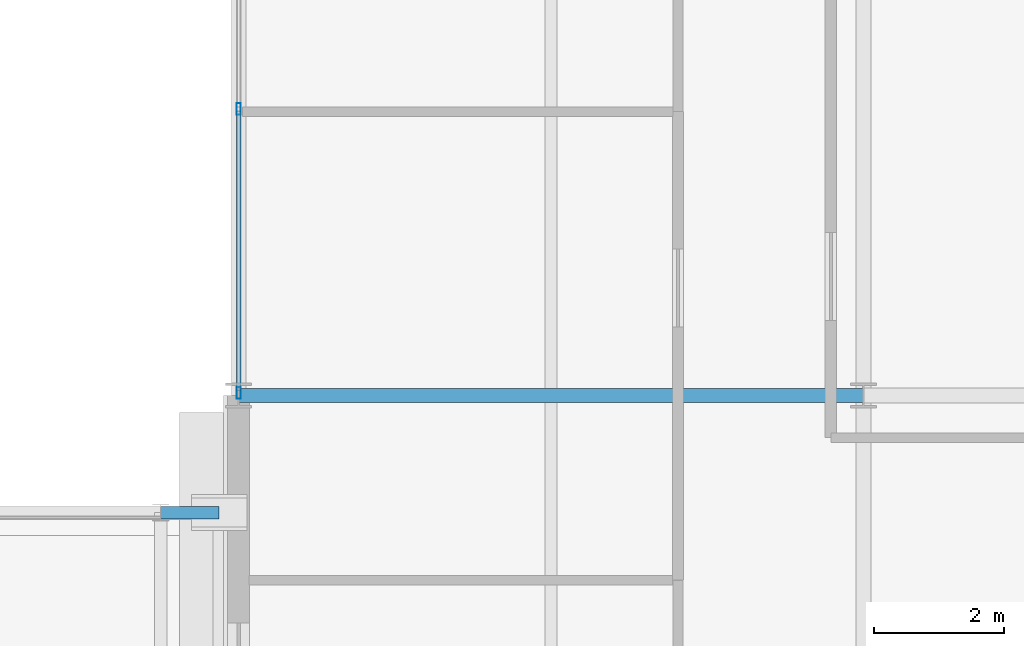
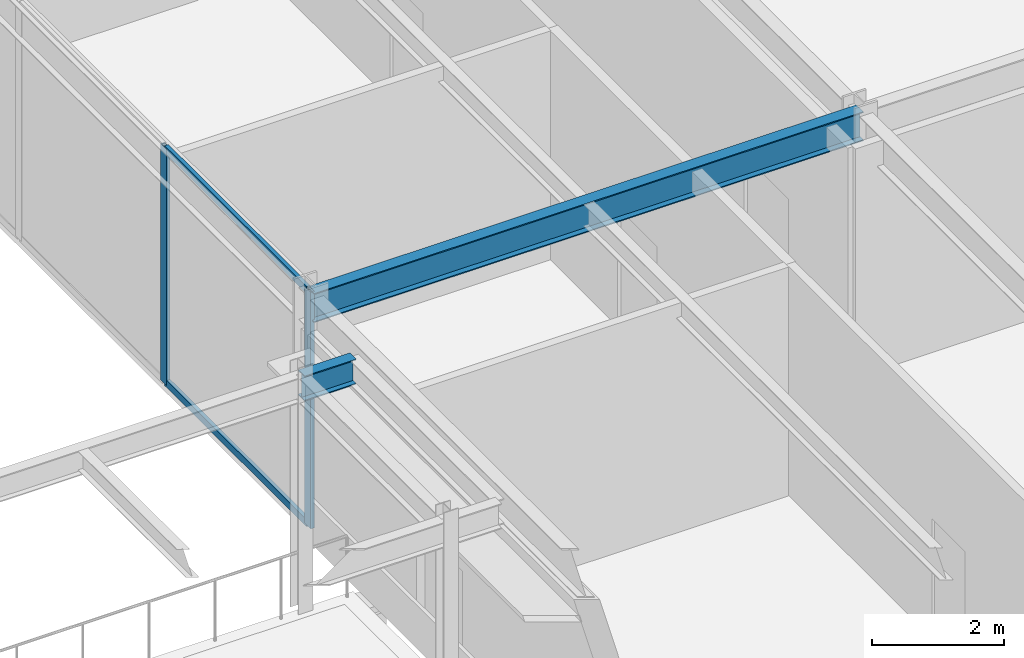
# One storey, part 99 of 157: 4 members, 2 beams, 1 element without a shape of its own.
"""IFC4 building model written with IfcOpenShell, lengths in metres."""

from ifc_helpers import new_model, si_unit, direction, frame, origin, origin_2d, place, context, subcontext, project, spatial, hollow_rectangle, i_section, extrude, material, material_profile, profile_set, type_object, element, aggregate, save


model = new_model("IFC4")

# Units and contexts
model_context = context("Model", 3, precision=1e-05, world=origin(), true_north=direction((0.0, 1.0)))
body_context = subcontext(model_context, "Body", "Model", "MODEL_VIEW")
ifc_project = project(units=[si_unit("LENGTHUNIT", "METRE"), si_unit("AREAUNIT", "SQUARE_METRE"), si_unit("VOLUMEUNIT", "CUBIC_METRE"), si_unit("PLANEANGLEUNIT", "RADIAN"), si_unit("MASSUNIT", "GRAM", prefix="KILO")], contexts=[model_context])

# Site, building, storey
site_placement = place(None, origin())
site = spatial("IfcSite", under=ifc_project, at=site_placement, CompositionType="ELEMENT")
building_placement = place(site_placement, origin())
building = spatial("IfcBuilding", under=site, at=building_placement, Name="Almandine Court Research Institute", CompositionType="ELEMENT")
storey_placement = place(building_placement, frame((0.0, 0.0, 5.25)))
storey = spatial("IfcBuildingStorey", under=building, at=storey_placement, Name="L01", CompositionType="ELEMENT", Elevation=5.25)

# Beams
ifc_material_1 = material(Name="Steel ASTM A992 Grade 50", Category="steel")
ifc_material_profile_1 = material_profile(ifc_material_1, i_section(OverallWidth=0.2109375, OverallDepth=0.5390625, WebThickness=0.011962890625, FlangeThickness=0.01904296875, at=origin_2d()), Name="W530x109")
ifc_profile_set_1 = profile_set([ifc_material_profile_1], Name="Steel ASTM A992 Grade 50")
beam_type_1 = type_object("IfcBeamType", Name="Beam-G-04", PredefinedType="BEAM", material=ifc_profile_set_1)
beam_1_placement = place(storey_placement, frame((153.60009765625, 57.60009765625, 4.10009765625), z_axis=(1.0, 0.0, 0.0), x_axis=(0.0, 1.0, 0.0)))
element("IfcBeam", 1, at=beam_1_placement, inside=storey, type_object=beam_type_1, Name="L01 V4 Primary X Girder", PredefinedType="BEAM", context=body_context, shape_type="SweptSolid", body=[
    extrude(i_section(OverallWidth=0.2109375, OverallDepth=0.5390625, WebThickness=0.011962890625, FlangeThickness=0.01904296875, at=origin_2d()), origin(), (0.0, 0.0, 1.0), 9.599853515625),
])
ifc_material_profile_2 = material_profile(ifc_material_1, i_section(OverallWidth=0.193115234375, OverallDepth=0.466064453125, WebThickness=0.010986328125, FlangeThickness=0.01904296875, at=origin_2d()), Name="W460x97")
ifc_profile_set_2 = profile_set([ifc_material_profile_2], Name="Steel ASTM A992 Grade 50")
beam_type_2 = type_object("IfcBeamType", Name="Beam-G-06-E", PredefinedType="SPANDREL", material=ifc_profile_set_2)
beam_2_placement = place(storey_placement, frame((152.39990234375, 55.800048828125, 4.116943359375), z_axis=(1.0, 0.0, 0.0), x_axis=(0.0, 1.0, 0.0)))
element("IfcBeam", 2, at=beam_2_placement, inside=storey, type_object=beam_type_2, Name="L01 DAL-E Longitudinal Bridge Edge Girder Extension 2", PredefinedType="SPANDREL", context=body_context, shape_type="SweptSolid", body=[
    extrude(i_section(OverallWidth=0.193115234375, OverallDepth=0.466064453125, WebThickness=0.010986328125, FlangeThickness=0.01904296875, at=origin_2d()), origin(), (0.0, 0.0, 1.0), 0.900146484375),
])

# Curtain wall, members
ifc_material_2 = material(Name="Unitised Curtain Wall Framing and Solar Glazing", Category="glass")
curtain_wall_type = type_object("IfcCurtainWallType", Name="CW-CWJ-15", PredefinedType="USERDEFINED", material=ifc_material_2)
curtain_wall_placement = place(storey_placement, origin())
curtain_wall = element("IfcCurtainWall", 3, at=curtain_wall_placement, inside=storey, type_object=curtain_wall_type, Name="L01 Wet Lab West Courtyard Jali Curtain Wall 6", ObjectType="SOLAR JALI SCREEN", PredefinedType="USERDEFINED")
ifc_material_3 = material(Name="Anodised Aluminium AW-6063-T6", Category="aluminium")
ifc_material_profile_3 = material_profile(ifc_material_3, hollow_rectangle(XDim=0.06494140625, YDim=0.179931640625, WallThickness=0.00390625, at=origin_2d()), Name="ALU RHS 65x180x4")
ifc_profile_set_3 = profile_set([ifc_material_profile_3], Name="Anodised Aluminium AW-6063-T6")
member_type_1 = type_object("IfcMemberType", Name="CWMul-65x180", PredefinedType="MULLION", material=ifc_profile_set_3)
member_1_placement = place(storey_placement, frame((153.60009765625, 57.636474609375, 0.0), z_axis=(0.0, 0.0, 1.0), x_axis=(-1.0, 0.0, 0.0)))
member_1 = element("IfcMember", 4, at=member_1_placement, type_object=member_type_1, Name="CWJ-15 mullion 1", PredefinedType="MULLION", context=body_context, shape_type="SweptSolid", body=[
    extrude(hollow_rectangle(XDim=0.06494140625, YDim=0.179931640625, WallThickness=0.00390625, at=origin_2d()), origin(), (0.0, 0.0, 1.0), 4.3701171875),
])
member_2_placement = place(storey_placement, frame((153.60009765625, 62.001220703125, 0.0), z_axis=(0.0, 0.0, 1.0), x_axis=(-1.0, 0.0, 0.0)))
member_2 = element("IfcMember", 5, at=member_2_placement, type_object=member_type_1, Name="CWJ-15 mullion 2", PredefinedType="MULLION", context=body_context, shape_type="SweptSolid", body=[
    extrude(hollow_rectangle(XDim=0.06494140625, YDim=0.179931640625, WallThickness=0.00390625, at=origin_2d()), origin(), (0.0, 0.0, 1.0), 4.3701171875),
])
ifc_material_profile_4 = material_profile(ifc_material_3, hollow_rectangle(XDim=0.06494140625, YDim=0.1298828125, WallThickness=0.00390625, at=origin_2d()), Name="ALU RHS 65x130x4")
ifc_profile_set_4 = profile_set([ifc_material_profile_4], Name="Anodised Aluminium AW-6063-T6")
member_type_2 = type_object("IfcMemberType", Name="CWTrn-65x130", PredefinedType="NOTDEFINED", material=ifc_profile_set_4)
member_3_placement = place(storey_placement, frame((153.60009765625, 57.6689453125, 0.032470703125), z_axis=(0.0, 1.0, 0.0), x_axis=(-1.0, 0.0, 0.0)))
member_3 = element("IfcMember", 6, at=member_3_placement, type_object=member_type_2, Name="CWJ-15 transom 1.1", ObjectType="TRANSOM", PredefinedType="USERDEFINED", context=body_context, shape_type="SweptSolid", body=[
    extrude(hollow_rectangle(XDim=0.06494140625, YDim=0.1298828125, WallThickness=0.00390625, at=origin_2d()), origin(), (0.0, 0.0, 1.0), 4.2998046875),
])
member_4_placement = place(storey_placement, frame((153.60009765625, 57.6689453125, 4.33740234375), z_axis=(0.0, 1.0, 0.0), x_axis=(-1.0, 0.0, 0.0)))
member_4 = element("IfcMember", 7, at=member_4_placement, type_object=member_type_2, Name="CWJ-15 transom 1.2", ObjectType="TRANSOM", PredefinedType="USERDEFINED", context=body_context, shape_type="SweptSolid", body=[
    extrude(hollow_rectangle(XDim=0.06494140625, YDim=0.1298828125, WallThickness=0.00390625, at=origin_2d()), origin(), (0.0, 0.0, 1.0), 4.2998046875),
])
aggregate(curtain_wall, [member_1, member_2, member_3, member_4])

save(model, "model.ifc")
